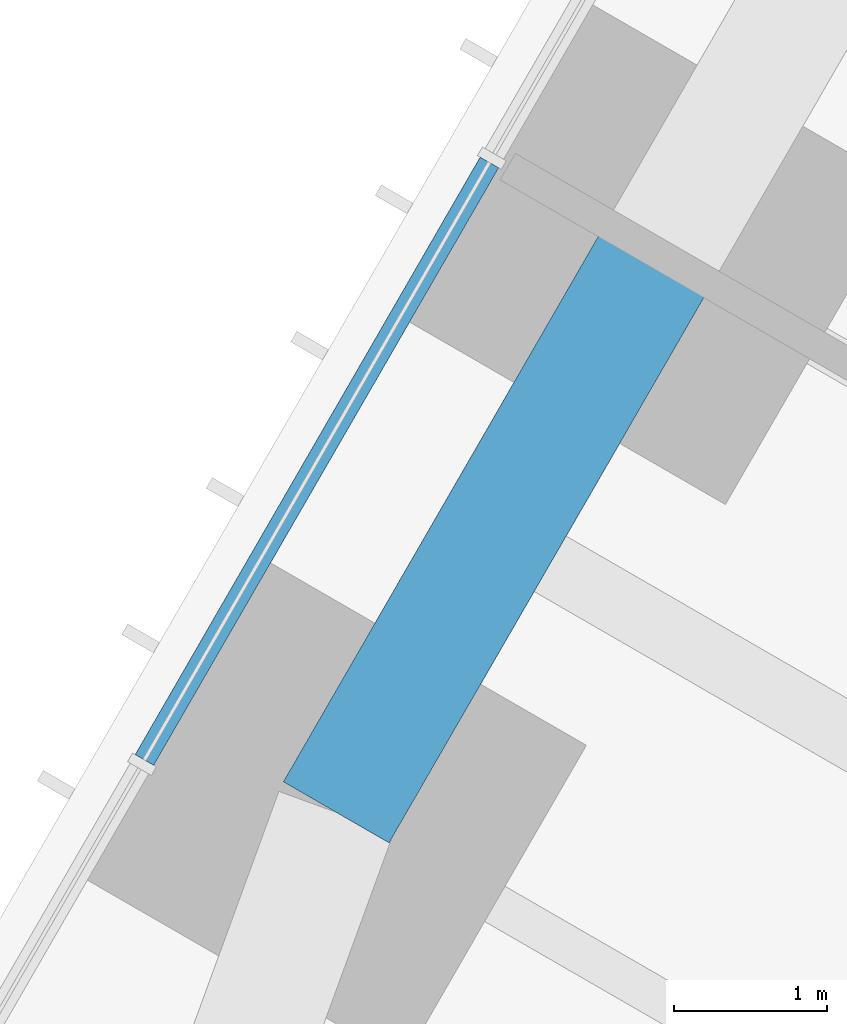
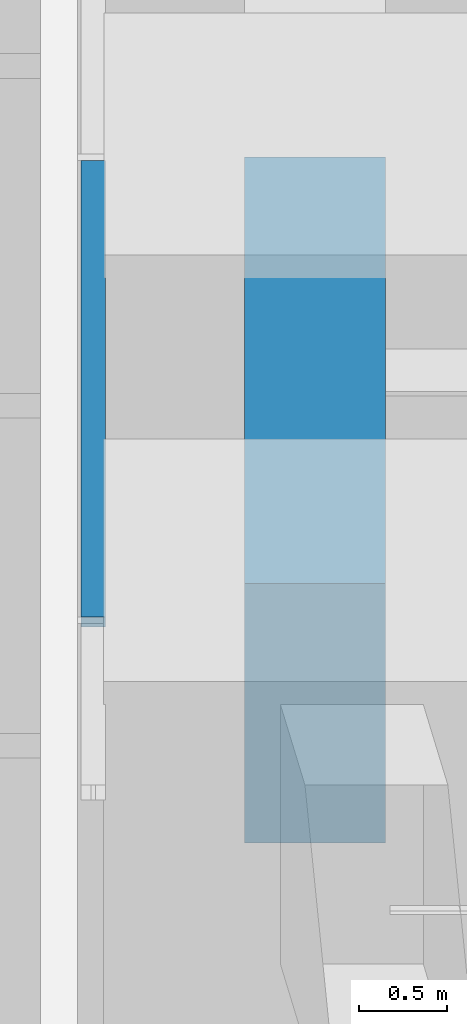
# One storey, part 144 of 256: 1 beam, 1 member, 1 element without a shape of its own.
"""IFC4 building model written with IfcOpenShell, lengths in metres."""

from ifc_helpers import new_model, si_unit, direction, frame, origin, origin_2d, place, context, subcontext, project, spatial, rectangle, extrude, material, material_profile, profile_set, type_object, element, aggregate, save


model = new_model("IFC4")

# Units and contexts
model_context = context("Model", 3, precision=1e-05, world=origin(), true_north=direction((0.0, 1.0)))
body_context = subcontext(model_context, "Body", "Model", "MODEL_VIEW")
ifc_project = project(units=[si_unit("LENGTHUNIT", "METRE"), si_unit("AREAUNIT", "SQUARE_METRE"), si_unit("VOLUMEUNIT", "CUBIC_METRE"), si_unit("PLANEANGLEUNIT", "RADIAN"), si_unit("MASSUNIT", "GRAM", prefix="KILO")], contexts=[model_context])

# Site, building, storey
site_placement = place(None, origin())
site = spatial("IfcSite", under=ifc_project, at=site_placement, CompositionType="ELEMENT")
building_placement = place(site_placement, origin())
building = spatial("IfcBuilding", under=site, at=building_placement, Name="Sandreach Pilgrim Tower", CompositionType="ELEMENT")
storey_placement = place(building_placement, frame((0.0, 0.0, 23.0)))
storey = spatial("IfcBuildingStorey", under=building, at=storey_placement, Name="L04", CompositionType="ELEMENT", Elevation=23.0)

# Curtain wall, member
ifc_material_1 = material(Name="Aluminium framed curtain wall", Category="aluminium")
curtain_wall_type = type_object("IfcCurtainWallType", Name="Hostel tower curtain wall", PredefinedType="NOTDEFINED", material=ifc_material_1)
curtain_wall_placement = place(storey_placement, origin())
curtain_wall = element("IfcCurtainWall", 1, at=curtain_wall_placement, inside=storey, type_object=curtain_wall_type, Name="CW-1 L04 NW", PredefinedType="NOTDEFINED")
ifc_material_2 = material(Name="Aluminium extrusion", Category="aluminium")
ifc_material_profile_1 = material_profile(ifc_material_2, rectangle(XDim=0.139892578125, YDim=0.070068359375, at=origin_2d()), Name="CW-1T 140X70")
ifc_profile_set_1 = profile_set([ifc_material_profile_1], Name="Aluminium extrusion")
member_type = type_object("IfcMemberType", Name="CW-1 transom", PredefinedType="USERDEFINED", material=ifc_profile_set_1)
member_placement = place(storey_placement, frame((-28.266845703125, 11.06201171875, 3.60498046875), z_axis=(0.500001366228, 0.866024614991, 0.0), x_axis=(-0.866024614991, 0.500001366228, 0.0)))
member = element("IfcMember", 2, at=member_placement, type_object=member_type, Name="CW-1 head transom 2", ObjectType="TRANSOM", PredefinedType="USERDEFINED", context=body_context, shape_type="SweptSolid", body=[
    extrude(rectangle(XDim=0.139892578125, YDim=0.070068359375, at=origin_2d()), origin(), (0.0, 0.0, 1.0), 4.52099609375),
])
aggregate(curtain_wall, [member])

# Beam
ifc_material_3 = material(Name="Concrete 10000 psi", Category="concrete")
ifc_material_profile_2 = material_profile(ifc_material_3, rectangle(XDim=0.800048828125, YDim=1.800048828125, at=origin_2d()), Name="RC800X1800")
ifc_profile_set_2 = profile_set([ifc_material_profile_2], Name="Concrete 10000 psi")
beam_type = type_object("IfcBeamType", Name="Spandrel beam RC800X1800", PredefinedType="SPANDREL", material=ifc_profile_set_2)
beam_placement = place(storey_placement, frame((-27.01025390625, 10.71875, 2.739990234375), z_axis=(0.500019412692, 0.866014195571, 0.0), x_axis=(-0.866014195571, 0.500019412692, 0.0)))
element("IfcBeam", 3, at=beam_placement, inside=storey, type_object=beam_type, Name="BM L04 SP36", PredefinedType="SPANDREL", context=body_context, shape_type="SweptSolid", body=[
    extrude(rectangle(XDim=0.800048828125, YDim=1.800048828125, at=origin_2d()), origin(), (0.0, 0.0, 1.0), 4.222412109375),
])

save(model, "model.ifc")
